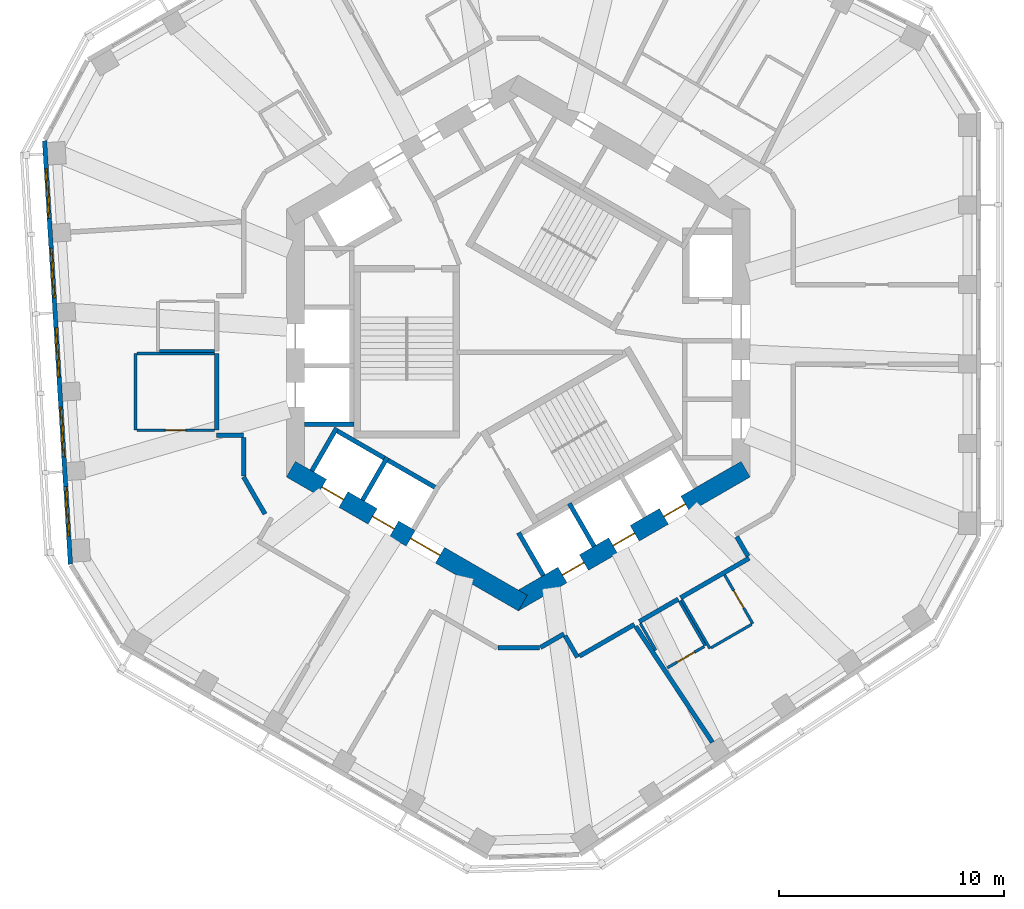
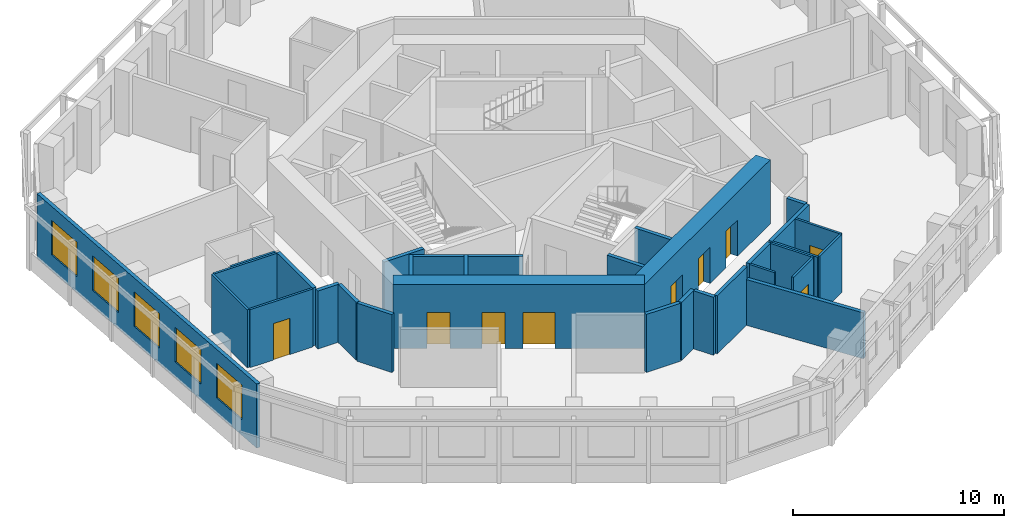
# One storey, part 4 of 11: 31 walls, 9 doors, 5 windows, 14 openings.
"""IFC4 building model written with IfcOpenShell, lengths in metres."""

from ifc_helpers import new_model, si_unit, direction, frame, frame_2d, origin, place, context, subcontext, project, spatial, rectangle, extrude, material, layer, layer_set, type_object, element, fill, save


model = new_model("IFC4")

# Units and contexts
model_context = context("Model", 3, precision=1e-05, world=origin(), true_north=direction((0.0, 1.0)))
body_context = subcontext(model_context, "Body", "Model", "MODEL_VIEW")
ifc_project = project(units=[si_unit("LENGTHUNIT", "METRE"), si_unit("AREAUNIT", "SQUARE_METRE"), si_unit("VOLUMEUNIT", "CUBIC_METRE"), si_unit("PLANEANGLEUNIT", "RADIAN"), si_unit("MASSUNIT", "GRAM", prefix="KILO")], contexts=[model_context])

# Site, building, storey
site_placement = place(None, origin())
site = spatial("IfcSite", under=ifc_project, at=site_placement, CompositionType="ELEMENT")
building_placement = place(site_placement, origin())
building = spatial("IfcBuilding", under=site, at=building_placement, Name="Vanh Sen Convention Tower", CompositionType="ELEMENT")
storey_placement = place(building_placement, frame((0.0, 0.0, 251.300048828125)))
storey = spatial("IfcBuildingStorey", under=building, at=storey_placement, Name="L62", CompositionType="ELEMENT", Elevation=251.300048828125)

# Walls
ifc_material_1 = material(Name="Moisture-resistant gypsum board on steel studs", Category="steel")
ifc_layer_1 = layer(ifc_material_1, 0.1201171875)
ifc_layer_set_1 = layer_set([ifc_layer_1], Name="Moisture-resistant gypsum board on steel studs")
wall_type_1 = type_object("IfcWallType", Name="Bathroom partition 120", PredefinedType="PARTITIONING", material=ifc_layer_set_1)
wall_1_placement = place(storey_placement, frame((-17.0009765625, -3.868896484375, 0.0), z_axis=(0.0, 0.0, 1.0), x_axis=(0.0, 1.0, 0.0)))
element("IfcWall", 1, at=wall_1_placement, inside=storey, type_object=wall_type_1, Name="Bathroom partition 120", PredefinedType="PARTITIONING", context=body_context, shape_type="SweptSolid", body=[
    extrude(rectangle(XDim=3.39990234375, YDim=0.1201171875, at=frame_2d((1.699951171875, 0.0))), origin(), (0.0, 0.0, 1.0), 3.349853515625),
])
wall_2_placement = place(storey_placement, frame((-16.94091796875, -0.468994140625, 0.0), z_axis=(0.0, 0.0, 1.0), x_axis=(1.0, 0.0, 0.0)))
element("IfcWall", 2, at=wall_2_placement, inside=storey, type_object=wall_type_1, Name="Bathroom partition 120", PredefinedType="PARTITIONING", context=body_context, shape_type="SweptSolid", body=[
    extrude(rectangle(XDim=3.43994140625, YDim=0.1201171875, at=frame_2d((1.719970703125, 0.0))), origin(), (0.0, 0.0, 1.0), 3.349853515625),
])

# Wall, opening, door
wall_3_placement = place(storey_placement, frame((-13.5009765625, -3.868896484375, 0.0), z_axis=(0.0, 0.0, 1.0), x_axis=(-1.0, 0.0, 0.0)))
wall_3 = element("IfcWall", 3, at=wall_3_placement, inside=storey, type_object=wall_type_1, Name="Bathroom partition 120", PredefinedType="PARTITIONING", context=body_context, shape_type="SweptSolid", body=[
    extrude(rectangle(XDim=3.43994140625, YDim=0.1201171875, at=frame_2d((1.719970703125, 0.0))), origin(), (0.0, 0.0, 1.0), 3.349853515625),
])
opening_1_placement = place(wall_3_placement, frame((1.27001953125, 0.0, 0.0)))
opening_1 = element("IfcOpeningElement", 4, at=opening_1_placement, cuts=wall_3, Name="Opening D61112", PredefinedType="OPENING", context=body_context, shape_type="SweptSolid", body=[
    extrude(rectangle(XDim=0.89990234375, YDim=2.10009765625, at=frame_2d((0.449951171875, 1.050048828125))), frame((0.0, 0.070068359375, 0.0), z_axis=(0.0, -1.0, 0.0), x_axis=(1.0, 0.0, 0.0)), (0.0, 0.0, 1.0), 0.14013671875),
])
ifc_material_2 = material(Name="Laminate door in steel frame", Category="steel")
door_type_1 = type_object("IfcDoorType", Name="Room internal door 900", OperationType="SINGLE_SWING_LEFT", PredefinedType="DOOR", material=ifc_material_2)
door_1_placement = place(opening_1_placement, origin())
door_1 = element("IfcDoor", 5, at=door_1_placement, inside=storey, type_object=door_type_1, Name="Internal room door D61112", OperationType="SINGLE_SWING_LEFT", OverallHeight=2.10009765625, OverallWidth=0.89990234375, PredefinedType="DOOR", context=body_context, shape_type="SweptSolid", body=[
    extrude(rectangle(XDim=0.89990234375, YDim=2.10009765625, at=frame_2d((0.449951171875, 1.050048828125))), frame((0.0, 0.02490234375, 0.0), z_axis=(0.0, -1.0, 0.0), x_axis=(1.0, 0.0, 0.0)), (0.0, 0.0, 1.0), 0.050048828125),
])
fill(opening_1, door_1)

# Walls
wall_4_placement = place(storey_placement, frame((-13.5009765625, -0.34912109375, 0.0), z_axis=(0.0, 0.0, 1.0), x_axis=(-1.0, 0.0, 0.0)))
element("IfcWall", 6, at=wall_4_placement, inside=storey, type_object=wall_type_1, Name="Bathroom partition 120", PredefinedType="PARTITIONING", context=body_context, shape_type="SweptSolid", body=[
    extrude(rectangle(XDim=2.43994140625, YDim=0.1201171875, at=frame_2d((1.219970703125, 0.0))), origin(), (0.0, 0.0, 1.0), 3.349853515625),
])
wall_5_placement = place(storey_placement, frame((6.10693359375, -13.64404296875, 0.0), z_axis=(0.0, 0.0, 1.0), x_axis=(-0.500072492706, 0.865983546056, 0.0)))
element("IfcWall", 7, at=wall_5_placement, inside=storey, type_object=wall_type_1, Name="Bathroom partition 120", PredefinedType="PARTITIONING", context=body_context, shape_type="SweptSolid", body=[
    extrude(rectangle(XDim=1.368408203125, YDim=0.1201171875, at=frame_2d((0.68408203125, 0.0))), origin(), (0.0, 0.0, 1.0), 3.349853515625),
])
wall_6_placement = place(storey_placement, frame((7.154541015625, -11.458984375, 0.0), z_axis=(0.0, 0.0, 1.0), x_axis=(0.500077740698, -0.865980515519, 0.0)))
element("IfcWall", 8, at=wall_6_placement, inside=storey, type_object=wall_type_1, Name="Bathroom partition 120", PredefinedType="PARTITIONING", context=body_context, shape_type="SweptSolid", body=[
    extrude(rectangle(XDim=2.300048828125, YDim=0.1201171875, at=frame_2d((1.14990234375, 0.0))), origin(), (0.0, 0.0, 1.0), 3.349853515625),
])

# Wall, opening, door
wall_7_placement = place(storey_placement, frame((8.252685546875, -13.480712890625, 0.0), z_axis=(0.0, 0.0, 1.0), x_axis=(-0.866045024864, -0.499966013754, 0.0)))
wall_7 = element("IfcWall", 9, at=wall_7_placement, inside=storey, type_object=wall_type_1, Name="Bathroom partition 120", PredefinedType="PARTITIONING", context=body_context, shape_type="SweptSolid", body=[
    extrude(rectangle(XDim=1.880126953125, YDim=0.1201171875, at=frame_2d((0.93994140625, 0.0))), origin(), (0.0, 0.0, 1.0), 3.349853515625),
])
opening_2_placement = place(wall_7_placement, frame((0.489990234375, 0.0, 0.0)))
opening_2 = element("IfcOpeningElement", 10, at=opening_2_placement, cuts=wall_7, Name="Opening D61115", PredefinedType="OPENING", context=body_context, shape_type="SweptSolid", body=[
    extrude(rectangle(XDim=0.89990234375, YDim=2.10009765625, at=frame_2d((0.449951171875, 1.050048828125))), frame((0.0, 0.070068359375, 0.0), z_axis=(0.0, -1.0, 0.0), x_axis=(1.0, 0.0, 0.0)), (0.0, 0.0, 1.0), 0.14013671875),
])
door_2_placement = place(opening_2_placement, origin())
door_2 = element("IfcDoor", 11, at=door_2_placement, inside=storey, type_object=door_type_1, Name="Internal room door D61115", OperationType="SINGLE_SWING_LEFT", OverallHeight=2.10009765625, OverallWidth=0.89990234375, PredefinedType="DOOR", context=body_context, shape_type="SweptSolid", body=[
    extrude(rectangle(XDim=0.89990234375, YDim=2.10009765625, at=frame_2d((0.449951171875, 1.050048828125))), frame((0.0, 0.02490234375, 0.0), z_axis=(0.0, -1.0, 0.0), x_axis=(1.0, 0.0, 0.0)), (0.0, 0.0, 1.0), 0.050048828125),
])
fill(opening_2, door_2)

# Wall
wall_8_placement = place(storey_placement, frame((8.508544921875, -13.56396484375, 0.0), z_axis=(0.0, 0.0, 1.0), x_axis=(-0.500004234368, 0.866022959057, 0.0)))
element("IfcWall", 12, at=wall_8_placement, inside=storey, type_object=wall_type_1, Name="Bathroom partition 120", PredefinedType="PARTITIONING", context=body_context, shape_type="SweptSolid", body=[
    extrude(rectangle(XDim=2.5, YDim=0.1201171875, at=frame_2d((1.25, 0.0))), origin(), (0.0, 0.0, 1.0), 3.349853515625),
])

# Wall, opening, door
wall_9_placement = place(storey_placement, frame((9.163818359375, -10.298828125, 0.0), z_axis=(0.0, 0.0, 1.0), x_axis=(0.500004234368, -0.866022959057, 0.0)))
wall_9 = element("IfcWall", 13, at=wall_9_placement, inside=storey, type_object=wall_type_1, Name="Bathroom partition 120", PredefinedType="PARTITIONING", context=body_context, shape_type="SweptSolid", body=[
    extrude(rectangle(XDim=2.5, YDim=0.1201171875, at=frame_2d((1.25, 0.0))), origin(), (0.0, 0.0, 1.0), 3.349853515625),
])
opening_3_placement = place(wall_9_placement, frame((0.800048828125, 0.0, 0.0)))
opening_3 = element("IfcOpeningElement", 14, at=opening_3_placement, cuts=wall_9, Name="Opening D61116", PredefinedType="OPENING", context=body_context, shape_type="SweptSolid", body=[
    extrude(rectangle(XDim=0.89990234375, YDim=2.10009765625, at=frame_2d((0.449951171875, 1.050048828125))), frame((0.0, 0.070068359375, 0.0), z_axis=(0.0, -1.0, 0.0), x_axis=(1.0, 0.0, 0.0)), (0.0, 0.0, 1.0), 0.14013671875),
])
door_3_placement = place(opening_3_placement, origin())
door_3 = element("IfcDoor", 15, at=door_3_placement, inside=storey, type_object=door_type_1, Name="Internal room door D61116", OperationType="SINGLE_SWING_LEFT", OverallHeight=2.10009765625, OverallWidth=0.89990234375, PredefinedType="DOOR", context=body_context, shape_type="SweptSolid", body=[
    extrude(rectangle(XDim=0.89990234375, YDim=2.10009765625, at=frame_2d((0.449951171875, 1.050048828125))), frame((0.0, 0.02490234375, 0.0), z_axis=(0.0, -1.0, 0.0), x_axis=(1.0, 0.0, 0.0)), (0.0, 0.0, 1.0), 0.050048828125),
])
fill(opening_3, door_3)

# Wall
wall_10_placement = place(storey_placement, frame((10.36181640625, -12.493896484375, 0.0), z_axis=(0.0, 0.0, 1.0), x_axis=(-0.866009661879, -0.500027264788, 0.0)))
element("IfcWall", 16, at=wall_10_placement, inside=storey, type_object=wall_type_1, Name="Bathroom partition 120", PredefinedType="PARTITIONING", context=body_context, shape_type="SweptSolid", body=[
    extrude(rectangle(XDim=2.080078125, YDim=0.1201171875, at=frame_2d((1.0400390625, 0.0))), origin(), (0.0, 0.0, 1.0), 3.349853515625),
])

# Wall, openings, doors
ifc_material_3 = material(Name="Concrete C60/75", Category="concrete")
ifc_layer_2 = layer(ifc_material_3, 0.800048828125)
ifc_layer_set_2 = layer_set([ifc_layer_2], Name="Concrete C60/75")
wall_type_2 = type_object("IfcWallType", Name="Core outer wall 800 C60/75", PredefinedType="SHEAR", material=ifc_layer_set_2)
wall_11_placement = place(storey_placement, frame((-10.10009765625, -5.600341796875, 0.0), z_axis=(0.0, 0.0, 1.0), x_axis=(0.866023897231, -0.500002609418, 0.0)))
wall_11 = element("IfcWall", 17, at=wall_11_placement, inside=storey, type_object=wall_type_2, Name="Core wall face SW L62", PredefinedType="SHEAR", context=body_context, shape_type="SweptSolid", body=[
    extrude(rectangle(XDim=11.8935546875, YDim=0.800048828125, at=frame_2d((5.94677734375, 0.0))), origin(), (0.0, 0.0, 1.0), 3.699951171875),
])
opening_4_placement = place(wall_11_placement, frame((6.146728515625, 0.0, 0.0)))
opening_4 = element("IfcOpeningElement", 18, at=opening_4_placement, cuts=wall_11, Name="Opening D61003", PredefinedType="OPENING", context=body_context, shape_type="SweptSolid", body=[
    extrude(rectangle(XDim=1.5, YDim=2.10009765625, at=frame_2d((0.75, 1.050048828125))), frame((0.0, 0.409912109375, 0.0), z_axis=(0.0, -1.0, 0.0), x_axis=(1.0, 0.0, 0.0)), (0.0, 0.0, 1.0), 0.820068359375),
])
opening_5_placement = place(wall_11_placement, frame((1.5966796875, 0.0, 0.0)))
opening_5 = element("IfcOpeningElement", 19, at=opening_5_placement, cuts=wall_11, Name="Opening LD-HR3", PredefinedType="OPENING", context=body_context, shape_type="SweptSolid", body=[
    extrude(rectangle(XDim=1.10009765625, YDim=2.10009765625, at=frame_2d((0.550048828125, 1.050048828125))), frame((0.0, 0.409912109375, 0.0), z_axis=(0.0, -1.0, 0.0), x_axis=(1.0, 0.0, 0.0)), (0.0, 0.0, 1.0), 0.820068359375),
])
opening_6_placement = place(wall_11_placement, frame((4.19677734375, 0.0, 0.0)))
opening_6 = element("IfcOpeningElement", 20, at=opening_6_placement, cuts=wall_11, Name="Opening LD-HR4", PredefinedType="OPENING", context=body_context, shape_type="SweptSolid", body=[
    extrude(rectangle(XDim=1.10009765625, YDim=2.10009765625, at=frame_2d((0.550048828125, 1.050048828125))), frame((0.0, 0.409912109375, 0.0), z_axis=(0.0, -1.0, 0.0), x_axis=(1.0, 0.0, 0.0)), (0.0, 0.0, 1.0), 0.820068359375),
])
ifc_material_4 = material(Name="Stainless steel", Category="steel")
door_type_2 = type_object("IfcDoorType", Name="Lift landing door 1100", OperationType="DOUBLE_DOOR_SLIDING", PredefinedType="DOOR", material=ifc_material_4)
door_4_placement = place(opening_5_placement, origin())
door_4 = element("IfcDoor", 21, at=door_4_placement, inside=storey, type_object=door_type_2, Name="Lift HR3 landing door LD-HR3", OperationType="DOUBLE_DOOR_SLIDING", OverallHeight=2.10009765625, OverallWidth=1.10009765625, PredefinedType="DOOR", context=body_context, shape_type="SweptSolid", body=[
    extrude(rectangle(XDim=1.10009765625, YDim=2.10009765625, at=frame_2d((0.550048828125, 1.050048828125))), frame((0.0, 0.02490234375, 0.0), z_axis=(0.0, -1.0, 0.0), x_axis=(1.0, 0.0, 0.0)), (0.0, 0.0, 1.0), 0.050048828125),
])
fill(opening_5, door_4)
door_5_placement = place(opening_6_placement, origin())
door_5 = element("IfcDoor", 22, at=door_5_placement, inside=storey, type_object=door_type_2, Name="Lift HR4 landing door LD-HR4", OperationType="DOUBLE_DOOR_SLIDING", OverallHeight=2.10009765625, OverallWidth=1.10009765625, PredefinedType="DOOR", context=body_context, shape_type="SweptSolid", body=[
    extrude(rectangle(XDim=1.10009765625, YDim=2.10009765625, at=frame_2d((0.550048828125, 1.050048828125))), frame((0.0, 0.02490234375, 0.0), z_axis=(0.0, -1.0, 0.0), x_axis=(1.0, 0.0, 0.0)), (0.0, 0.0, 1.0), 0.050048828125),
])
fill(opening_6, door_5)
ifc_material_5 = material(Name="Steel S355", Category="steel")
door_type_3 = type_object("IfcDoorType", Name="Stair lobby door 1500", OperationType="DOUBLE_DOOR_SINGLE_SWING", PredefinedType="DOOR", material=ifc_material_5)
door_6_placement = place(opening_4_placement, origin())
door_6 = element("IfcDoor", 23, at=door_6_placement, inside=storey, type_object=door_type_3, Name="Stair lobby door D61003", OperationType="DOUBLE_DOOR_SINGLE_SWING", OverallHeight=2.10009765625, OverallWidth=1.5, PredefinedType="DOOR", context=body_context, shape_type="SweptSolid", body=[
    extrude(rectangle(XDim=1.5, YDim=2.10009765625, at=frame_2d((0.75, 1.050048828125))), frame((0.0, 0.02490234375, 0.0), z_axis=(0.0, -1.0, 0.0), x_axis=(1.0, 0.0, 0.0)), (0.0, 0.0, 1.0), 0.050048828125),
])
fill(opening_4, door_6)

wall_12_placement = place(storey_placement, frame((-0.199951171875, -11.547119140625, 0.0), z_axis=(0.0, 0.0, 1.0), x_axis=(0.866023897231, 0.500002609418, 0.0)))
wall_12 = element("IfcWall", 24, at=wall_12_placement, inside=storey, type_object=wall_type_2, Name="Core wall face SE L62", PredefinedType="SHEAR", context=body_context, shape_type="SweptSolid", body=[
    extrude(rectangle(XDim=11.8935546875, YDim=0.800048828125, at=frame_2d((5.94677734375, 0.0))), origin(), (0.0, 0.0, 1.0), 3.699951171875),
])
opening_7_placement = place(wall_12_placement, frame((2.49658203125, 0.0, 0.0)))
opening_7 = element("IfcOpeningElement", 25, at=opening_7_placement, cuts=wall_12, Name="Opening LD-HR5", PredefinedType="OPENING", context=body_context, shape_type="SweptSolid", body=[
    extrude(rectangle(XDim=1.10009765625, YDim=2.10009765625, at=frame_2d((0.550048828125, 1.050048828125))), frame((0.0, 0.409912109375, 0.0), z_axis=(0.0, -1.0, 0.0), x_axis=(1.0, 0.0, 0.0)), (0.0, 0.0, 1.0), 0.820068359375),
])
opening_8_placement = place(wall_12_placement, frame((5.0966796875, 0.0, 0.0)))
opening_8 = element("IfcOpeningElement", 26, at=opening_8_placement, cuts=wall_12, Name="Opening LD-HR6", PredefinedType="OPENING", context=body_context, shape_type="SweptSolid", body=[
    extrude(rectangle(XDim=1.10009765625, YDim=2.10009765625, at=frame_2d((0.550048828125, 1.050048828125))), frame((0.0, 0.409912109375, 0.0), z_axis=(0.0, -1.0, 0.0), x_axis=(1.0, 0.0, 0.0)), (0.0, 0.0, 1.0), 0.820068359375),
])
opening_9_placement = place(wall_12_placement, frame((7.69677734375, 0.0, 0.0)))
opening_9 = element("IfcOpeningElement", 27, at=opening_9_placement, cuts=wall_12, Name="Opening LD-SV1", PredefinedType="OPENING", context=body_context, shape_type="SweptSolid", body=[
    extrude(rectangle(XDim=1.10009765625, YDim=2.10009765625, at=frame_2d((0.550048828125, 1.050048828125))), frame((0.0, 0.409912109375, 0.0), z_axis=(0.0, -1.0, 0.0), x_axis=(1.0, 0.0, 0.0)), (0.0, 0.0, 1.0), 0.820068359375),
])
door_7_placement = place(opening_7_placement, origin())
door_7 = element("IfcDoor", 28, at=door_7_placement, inside=storey, type_object=door_type_2, Name="Lift HR5 landing door LD-HR5", OperationType="DOUBLE_DOOR_SLIDING", OverallHeight=2.10009765625, OverallWidth=1.10009765625, PredefinedType="DOOR", context=body_context, shape_type="SweptSolid", body=[
    extrude(rectangle(XDim=1.10009765625, YDim=2.10009765625, at=frame_2d((0.550048828125, 1.050048828125))), frame((0.0, 0.02490234375, 0.0), z_axis=(0.0, -1.0, 0.0), x_axis=(1.0, 0.0, 0.0)), (0.0, 0.0, 1.0), 0.050048828125),
])
fill(opening_7, door_7)
door_8_placement = place(opening_8_placement, origin())
door_8 = element("IfcDoor", 29, at=door_8_placement, inside=storey, type_object=door_type_2, Name="Lift HR6 landing door LD-HR6", OperationType="DOUBLE_DOOR_SLIDING", OverallHeight=2.10009765625, OverallWidth=1.10009765625, PredefinedType="DOOR", context=body_context, shape_type="SweptSolid", body=[
    extrude(rectangle(XDim=1.10009765625, YDim=2.10009765625, at=frame_2d((0.550048828125, 1.050048828125))), frame((0.0, 0.02490234375, 0.0), z_axis=(0.0, -1.0, 0.0), x_axis=(1.0, 0.0, 0.0)), (0.0, 0.0, 1.0), 0.050048828125),
])
fill(opening_8, door_8)
door_9_placement = place(opening_9_placement, origin())
door_9 = element("IfcDoor", 30, at=door_9_placement, inside=storey, type_object=door_type_2, Name="Lift SV1 landing door LD-SV1", OperationType="DOUBLE_DOOR_SLIDING", OverallHeight=2.10009765625, OverallWidth=1.10009765625, PredefinedType="DOOR", context=body_context, shape_type="SweptSolid", body=[
    extrude(rectangle(XDim=1.10009765625, YDim=2.10009765625, at=frame_2d((0.550048828125, 1.050048828125))), frame((0.0, 0.02490234375, 0.0), z_axis=(0.0, -1.0, 0.0), x_axis=(1.0, 0.0, 0.0)), (0.0, 0.0, 1.0), 0.050048828125),
])
fill(opening_9, door_9)

# Walls
ifc_material_6 = material(Name="Gypsum board on steel studs with mineral wool", Category="steel")
ifc_layer_3 = layer(ifc_material_6, 0.199951171875)
ifc_layer_set_3 = layer_set([ifc_layer_3], Name="Gypsum board on steel studs with mineral wool")
wall_type_3 = type_object("IfcWallType", Name="Corridor partition wall 200", PredefinedType="PARTITIONING", material=ifc_layer_set_3)
wall_13_placement = place(storey_placement, frame((-13.40087890625, -4.10107421875, 0.0), z_axis=(0.0, 0.0, 1.0), x_axis=(1.0, 0.0, 0.0)))
element("IfcWall", 31, at=wall_13_placement, inside=storey, type_object=wall_type_3, Name="Corridor partition wall 200", PredefinedType="PARTITIONING", context=body_context, shape_type="SweptSolid", body=[
    extrude(rectangle(XDim=1.200927734375, YDim=0.199951171875, at=frame_2d((0.6005859375, 0.0))), origin(), (0.0, 0.0, 1.0), 3.349853515625),
])
wall_14_placement = place(storey_placement, frame((-13.40087890625, -0.468994140625, 0.0), z_axis=(0.0, 0.0, 1.0), x_axis=(0.0, -1.0, 0.0)))
element("IfcWall", 32, at=wall_14_placement, inside=storey, type_object=wall_type_3, Name="Corridor partition wall 200", PredefinedType="PARTITIONING", context=body_context, shape_type="SweptSolid", body=[
    extrude(rectangle(XDim=3.39990234375, YDim=0.199951171875, at=frame_2d((1.699951171875, 0.0))), origin(), (0.0, 0.0, 1.0), 3.349853515625),
])
wall_15_placement = place(storey_placement, frame((-12.199951171875, -5.94677734375, 0.0), z_axis=(0.0, 0.0, 1.0), x_axis=(0.500022797313, -0.86601224135, 0.0)))
element("IfcWall", 33, at=wall_15_placement, inside=storey, type_object=wall_type_3, Name="Corridor partition wall 200", PredefinedType="PARTITIONING", context=body_context, shape_type="SweptSolid", body=[
    extrude(rectangle(XDim=1.89990234375, YDim=0.199951171875, at=frame_2d((0.949951171875, 0.0))), origin(), (0.0, 0.0, 1.0), 3.349853515625),
])
wall_16_placement = place(storey_placement, frame((-12.199951171875, -4.200927734375, 0.0), z_axis=(0.0, 0.0, 1.0), x_axis=(0.0, -1.0, 0.0)))
element("IfcWall", 34, at=wall_16_placement, inside=storey, type_object=wall_type_3, Name="Corridor partition wall 200", PredefinedType="PARTITIONING", context=body_context, shape_type="SweptSolid", body=[
    extrude(rectangle(XDim=1.705810546875, YDim=0.199951171875, at=frame_2d((0.85302734375, 0.0))), origin(), (0.0, 0.0, 1.0), 3.349853515625),
])
wall_17_placement = place(storey_placement, frame((-0.909912109375, -13.538818359375, 0.0), z_axis=(0.0, 0.0, 1.0), x_axis=(1.0, 0.0, 0.0)))
element("IfcWall", 35, at=wall_17_placement, inside=storey, type_object=wall_type_3, Name="Corridor partition wall 200", PredefinedType="PARTITIONING", context=body_context, shape_type="SweptSolid", body=[
    extrude(rectangle(XDim=1.85986328125, YDim=0.199951171875, at=frame_2d((0.929931640625, 0.0))), origin(), (0.0, 0.0, 1.0), 3.349853515625),
])
wall_18_placement = place(storey_placement, frame((0.984619140625, -13.518798828125, 0.0), z_axis=(0.0, 0.0, 1.0), x_axis=(0.866054082991, 0.499950322867, 0.0)))
element("IfcWall", 36, at=wall_18_placement, inside=storey, type_object=wall_type_3, Name="Corridor partition wall 200", PredefinedType="PARTITIONING", context=body_context, shape_type="SweptSolid", body=[
    extrude(rectangle(XDim=1.20556640625, YDim=0.199951171875, at=frame_2d((0.602783203125, 0.0))), origin(), (0.0, 0.0, 1.0), 3.349853515625),
])
wall_19_placement = place(storey_placement, frame((2.078857421875, -13.002685546875, 0.0), z_axis=(0.0, 0.0, 1.0), x_axis=(0.500074377092, -0.865982457891, 0.0)))
element("IfcWall", 37, at=wall_19_placement, inside=storey, type_object=wall_type_3, Name="Corridor partition wall 200", PredefinedType="PARTITIONING", context=body_context, shape_type="SweptSolid", body=[
    extrude(rectangle(XDim=1.100830078125, YDim=0.199951171875, at=frame_2d((0.55029296875, 0.0))), origin(), (0.0, 0.0, 1.0), 3.349853515625),
])
wall_20_placement = place(storey_placement, frame((2.7158203125, -13.906005859375, 0.0), z_axis=(0.0, 0.0, 1.0), x_axis=(0.866048512801, 0.499959971872, 0.0)))
element("IfcWall", 38, at=wall_20_placement, inside=storey, type_object=wall_type_3, Name="Corridor partition wall 200", PredefinedType="PARTITIONING", context=body_context, shape_type="SweptSolid", body=[
    extrude(rectangle(XDim=2.817626953125, YDim=0.199951171875, at=frame_2d((1.40869140625, 0.0))), origin(), (0.0, 0.0, 1.0), 3.349853515625),
])
wall_21_placement = place(storey_placement, frame((5.37255859375, -12.372314453125, 0.0), z_axis=(0.0, 0.0, 1.0), x_axis=(0.866010750942, 0.50002537861, 0.0)))
element("IfcWall", 39, at=wall_21_placement, inside=storey, type_object=wall_type_3, Name="Corridor partition wall 200", PredefinedType="PARTITIONING", context=body_context, shape_type="SweptSolid", body=[
    extrude(rectangle(XDim=2.0, YDim=0.199951171875, at=frame_2d((1.0, 0.0))), origin(), (0.0, 0.0, 1.0), 3.349853515625),
])
wall_22_placement = place(storey_placement, frame((7.20849609375, -11.312255859375, 0.0), z_axis=(0.0, 0.0, 1.0), x_axis=(0.866050243185, 0.499956974429, 0.0)))
element("IfcWall", 40, at=wall_22_placement, inside=storey, type_object=wall_type_3, Name="Corridor partition wall 200", PredefinedType="PARTITIONING", context=body_context, shape_type="SweptSolid", body=[
    extrude(rectangle(XDim=3.514404296875, YDim=0.199951171875, at=frame_2d((1.75732421875, 0.0))), origin(), (0.0, 0.0, 1.0), 3.349853515625),
])
wall_23_placement = place(storey_placement, frame((10.2021484375, -9.468505859375, 0.0), z_axis=(0.0, 0.0, 1.0), x_axis=(-0.499968756647, 0.866043441391, 0.0)))
element("IfcWall", 41, at=wall_23_placement, inside=storey, type_object=wall_type_3, Name="Corridor partition wall 200", PredefinedType="PARTITIONING", context=body_context, shape_type="SweptSolid", body=[
    extrude(rectangle(XDim=1.0009765625, YDim=0.199951171875, at=frame_2d((0.50048828125, 0.0))), origin(), (0.0, 0.0, 1.0), 3.349853515625),
])

# Wall, openings, windows
ifc_material_7 = material(Name="Insulated lightweight infill wall")
ifc_layer_4 = layer(ifc_material_7, 0.199951171875)
ifc_layer_set_4 = layer_set([ifc_layer_4], Name="Insulated lightweight infill wall")
wall_type_4 = type_object("IfcWallType", Name="External wall 200", PredefinedType="STANDARD", material=ifc_layer_set_4)
wall_24_placement = place(storey_placement, frame((-21.03759765625, 8.983642578125, 0.0), z_axis=(0.0, 0.0, 1.0), x_axis=(0.061043935634, -0.998135079998, 0.0)))
wall_24 = element("IfcWall", 42, at=wall_24_placement, inside=storey, type_object=wall_type_4, Name="External wall W L62", PredefinedType="STANDARD", context=body_context, shape_type="SweptSolid", body=[
    extrude(rectangle(XDim=18.84130859375, YDim=0.199951171875, at=frame_2d((9.420654296875, 0.0))), origin(), (0.0, 0.0, 1.0), 3.699951171875),
])
opening_10_placement = place(wall_24_placement, frame((1.252685546875, 0.0, 0.89990234375)))
opening_10 = element("IfcOpeningElement", 43, at=opening_10_placement, cuts=wall_24, Name="Opening WO3-W1", PredefinedType="OPENING", context=body_context, shape_type="SweptSolid", body=[
    extrude(rectangle(XDim=2.199951171875, YDim=2.0, at=frame_2d((1.10009765625, 1.0))), frame((0.0, 0.10986328125, 0.0), z_axis=(0.0, -1.0, 0.0), x_axis=(1.0, 0.0, 0.0)), (0.0, 0.0, 1.0), 0.219970703125),
])
opening_11_placement = place(wall_24_placement, frame((4.7861328125, 0.0, 0.89990234375)))
opening_11 = element("IfcOpeningElement", 44, at=opening_11_placement, cuts=wall_24, Name="Opening WO3-W2", PredefinedType="OPENING", context=body_context, shape_type="SweptSolid", body=[
    extrude(rectangle(XDim=2.199951171875, YDim=2.0, at=frame_2d((1.10009765625, 1.0))), frame((0.0, 0.10986328125, 0.0), z_axis=(0.0, -1.0, 0.0), x_axis=(1.0, 0.0, 0.0)), (0.0, 0.0, 1.0), 0.219970703125),
])
opening_12_placement = place(wall_24_placement, frame((8.31982421875, 0.0, 0.89990234375)))
opening_12 = element("IfcOpeningElement", 45, at=opening_12_placement, cuts=wall_24, Name="Opening WO3-W3", PredefinedType="OPENING", context=body_context, shape_type="SweptSolid", body=[
    extrude(rectangle(XDim=2.199951171875, YDim=2.0, at=frame_2d((1.10009765625, 1.0))), frame((0.0, 0.10986328125, 0.0), z_axis=(0.0, -1.0, 0.0), x_axis=(1.0, 0.0, 0.0)), (0.0, 0.0, 1.0), 0.219970703125),
])
opening_13_placement = place(wall_24_placement, frame((11.853515625, 0.0, 0.89990234375)))
opening_13 = element("IfcOpeningElement", 46, at=opening_13_placement, cuts=wall_24, Name="Opening WO3-W4", PredefinedType="OPENING", context=body_context, shape_type="SweptSolid", body=[
    extrude(rectangle(XDim=2.199951171875, YDim=2.0, at=frame_2d((1.10009765625, 1.0))), frame((0.0, 0.10986328125, 0.0), z_axis=(0.0, -1.0, 0.0), x_axis=(1.0, 0.0, 0.0)), (0.0, 0.0, 1.0), 0.219970703125),
])
opening_14_placement = place(wall_24_placement, frame((15.38720703125, 0.0, 0.89990234375)))
opening_14 = element("IfcOpeningElement", 47, at=opening_14_placement, cuts=wall_24, Name="Opening WO3-W5", PredefinedType="OPENING", context=body_context, shape_type="SweptSolid", body=[
    extrude(rectangle(XDim=2.199951171875, YDim=2.0, at=frame_2d((1.10009765625, 1.0))), frame((0.0, 0.10986328125, 0.0), z_axis=(0.0, -1.0, 0.0), x_axis=(1.0, 0.0, 0.0)), (0.0, 0.0, 1.0), 0.219970703125),
])
ifc_material_8 = material(Name="Aluminium frame with clear low-emissivity glass", Category="aluminium")
window_type = type_object("IfcWindowType", Name="Office window 2200 x 2000", PartitioningType="SINGLE_PANEL", PredefinedType="WINDOW", material=ifc_material_8)
window_1_placement = place(opening_10_placement, origin())
window_1 = element("IfcWindow", 48, at=window_1_placement, inside=storey, type_object=window_type, Name="Window WO3-W1", OverallHeight=2.0, OverallWidth=2.199951171875, PartitioningType="SINGLE_PANEL", PredefinedType="WINDOW", context=body_context, shape_type="SweptSolid", body=[
    extrude(rectangle(XDim=2.199951171875, YDim=2.0, at=frame_2d((1.10009765625, 1.0))), frame((0.0, 0.030029296875, 0.0), z_axis=(0.0, -1.0, 0.0), x_axis=(1.0, 0.0, 0.0)), (0.0, 0.0, 1.0), 0.06005859375),
])
fill(opening_10, window_1)
window_2_placement = place(opening_11_placement, origin())
window_2 = element("IfcWindow", 49, at=window_2_placement, inside=storey, type_object=window_type, Name="Window WO3-W2", OverallHeight=2.0, OverallWidth=2.199951171875, PartitioningType="SINGLE_PANEL", PredefinedType="WINDOW", context=body_context, shape_type="SweptSolid", body=[
    extrude(rectangle(XDim=2.199951171875, YDim=2.0, at=frame_2d((1.10009765625, 1.0))), frame((0.0, 0.030029296875, 0.0), z_axis=(0.0, -1.0, 0.0), x_axis=(1.0, 0.0, 0.0)), (0.0, 0.0, 1.0), 0.06005859375),
])
fill(opening_11, window_2)
window_3_placement = place(opening_12_placement, origin())
window_3 = element("IfcWindow", 50, at=window_3_placement, inside=storey, type_object=window_type, Name="Window WO3-W3", OverallHeight=2.0, OverallWidth=2.199951171875, PartitioningType="SINGLE_PANEL", PredefinedType="WINDOW", context=body_context, shape_type="SweptSolid", body=[
    extrude(rectangle(XDim=2.199951171875, YDim=2.0, at=frame_2d((1.10009765625, 1.0))), frame((0.0, 0.030029296875, 0.0), z_axis=(0.0, -1.0, 0.0), x_axis=(1.0, 0.0, 0.0)), (0.0, 0.0, 1.0), 0.06005859375),
])
fill(opening_12, window_3)
window_4_placement = place(opening_13_placement, origin())
window_4 = element("IfcWindow", 51, at=window_4_placement, inside=storey, type_object=window_type, Name="Window WO3-W4", OverallHeight=2.0, OverallWidth=2.199951171875, PartitioningType="SINGLE_PANEL", PredefinedType="WINDOW", context=body_context, shape_type="SweptSolid", body=[
    extrude(rectangle(XDim=2.199951171875, YDim=2.0, at=frame_2d((1.10009765625, 1.0))), frame((0.0, 0.030029296875, 0.0), z_axis=(0.0, -1.0, 0.0), x_axis=(1.0, 0.0, 0.0)), (0.0, 0.0, 1.0), 0.06005859375),
])
fill(opening_13, window_4)
window_5_placement = place(opening_14_placement, origin())
window_5 = element("IfcWindow", 52, at=window_5_placement, inside=storey, type_object=window_type, Name="Window WO3-W5", OverallHeight=2.0, OverallWidth=2.199951171875, PartitioningType="SINGLE_PANEL", PredefinedType="WINDOW", context=body_context, shape_type="SweptSolid", body=[
    extrude(rectangle(XDim=2.199951171875, YDim=2.0, at=frame_2d((1.10009765625, 1.0))), frame((0.0, 0.030029296875, 0.0), z_axis=(0.0, -1.0, 0.0), x_axis=(1.0, 0.0, 0.0)), (0.0, 0.0, 1.0), 0.06005859375),
])
fill(opening_14, window_5)

# Walls
ifc_material_9 = material(Name="Concrete C40/50", Category="concrete")
ifc_layer_5 = layer(ifc_material_9, 0.199951171875)
ifc_layer_set_5 = layer_set([ifc_layer_5], Name="Concrete C40/50")
wall_type_5 = type_object("IfcWallType", Name="Lift shaft wall 200", PredefinedType="PARTITIONING", material=ifc_layer_set_5)
wall_25_placement = place(storey_placement, frame((-7.300048828125, -3.60009765625, 0.0), z_axis=(0.0, 0.0, 1.0), x_axis=(-1.0, 0.0, 0.0)))
element("IfcWall", 53, at=wall_25_placement, inside=storey, type_object=wall_type_5, Name="Lift shaft wall L62", PredefinedType="PARTITIONING", context=body_context, shape_type="SweptSolid", body=[
    extrude(rectangle(XDim=2.199951171875, YDim=0.199951171875, at=frame_2d((1.10009765625, 0.0))), origin(), (0.0, 0.0, 1.0), 3.349853515625),
])
wall_26_placement = place(storey_placement, frame((-8.203369140625, -3.80859375, 0.0), z_axis=(0.0, 0.0, 1.0), x_axis=(0.866028230842, -0.499995103361, 0.0)))
element("IfcWall", 54, at=wall_26_placement, inside=storey, type_object=wall_type_5, Name="Lift shaft wall L62", PredefinedType="PARTITIONING", context=body_context, shape_type="SweptSolid", body=[
    extrude(rectangle(XDim=5.39990234375, YDim=0.199951171875, at=frame_2d((2.699951171875, 0.0))), origin(), (0.0, 0.0, 1.0), 3.349853515625),
])
for number, where, z_axis, x_axis, name in (
    (55, (-8.066650390625, -3.77197265625, 0.0), (0.0, 0.0, 1.0), (-0.50002983664, -0.866008176907, 0.0), "Lift shaft wall L62"),
    (56, (-5.815185546875, -5.072021484375, 0.0), (0.0, 0.0, 1.0), (-0.499946605688, -0.86605622881, 0.0), "Lift shaft wall L62"),
    (57, (0.0126953125, -8.422119140625, 0.0), (0.0, 0.0, 1.0), (0.500077893725, -0.86598042715, 0.0), "Lift shaft wall L62"),
    (58, (2.264404296875, -7.1220703125, 0.0), (0.0, 0.0, 1.0), (0.500077893725, -0.86598042715, 0.0), "Lift shaft wall L62"),
):
    element("IfcWall", number, at=place(storey_placement, frame(where, z_axis=z_axis, x_axis=x_axis)), inside=storey, type_object=wall_type_5, Name=name, PredefinedType="PARTITIONING", context=body_context, shape_type="SweptSolid", body=[
        extrude(rectangle(XDim=2.199951171875, YDim=0.199951171875, at=frame_2d((1.10009765625, 0.0))), origin(), (0.0, 0.0, 1.0), 3.349853515625),
    ])
ifc_layer_6 = layer(ifc_material_6, 0.199951171875)
ifc_layer_set_6 = layer_set([ifc_layer_6], Name="Gypsum board on steel studs with mineral wool")
wall_type_6 = type_object("IfcWallType", Name="Tenant suite wall 200", PredefinedType="PARTITIONING", material=ifc_layer_set_6)
wall_27_placement = place(storey_placement, frame((8.623779296875, -17.736572265625, 0.0), z_axis=(0.0, 0.0, 1.0), x_axis=(-0.551945242328, 0.833880356809, 0.0)))
element("IfcWall", 59, at=wall_27_placement, inside=storey, type_object=wall_type_6, Name="Tenant suite wall 200", PredefinedType="PARTITIONING", context=body_context, shape_type="SweptSolid", body=[
    extrude(rectangle(XDim=6.182861328125, YDim=0.199951171875, at=frame_2d((3.09130859375, 0.0))), origin(), (0.0, 0.0, 1.0), 2.64990234375),
])

save(model, "model.ifc")
